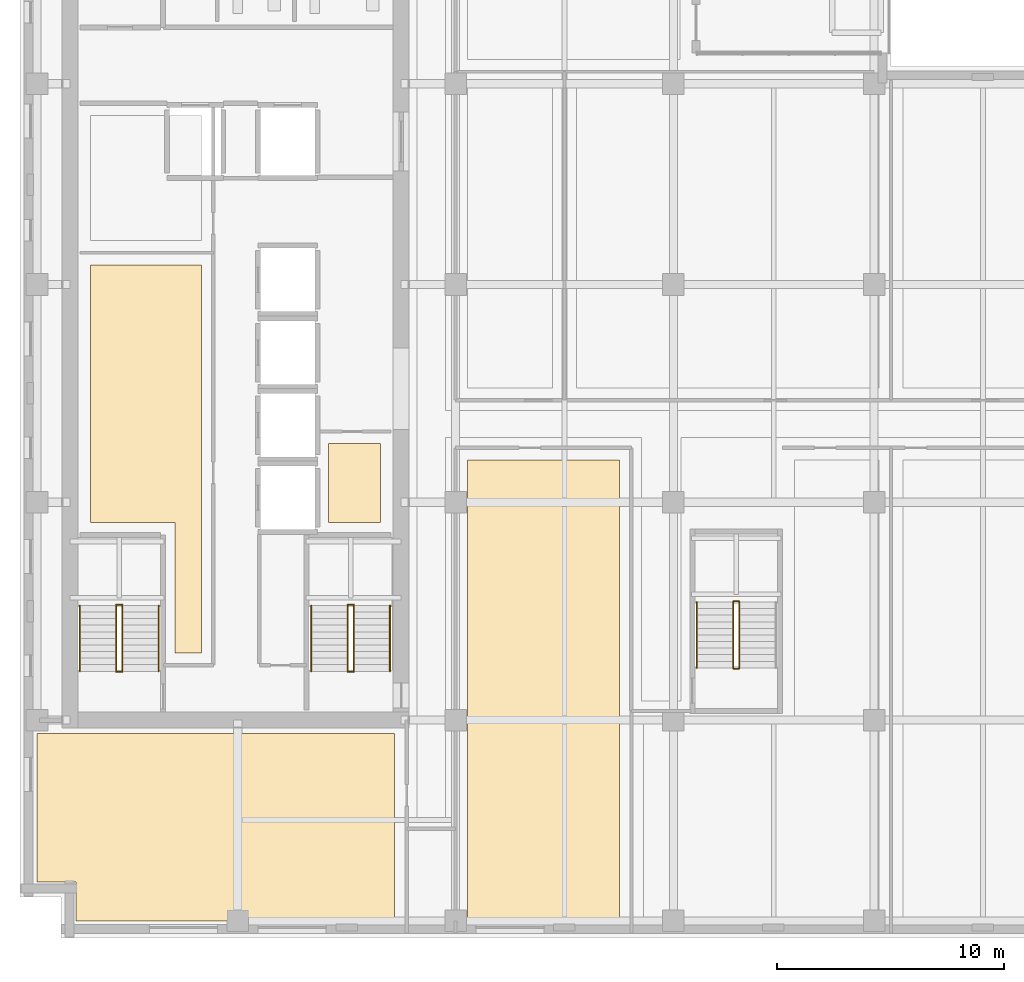
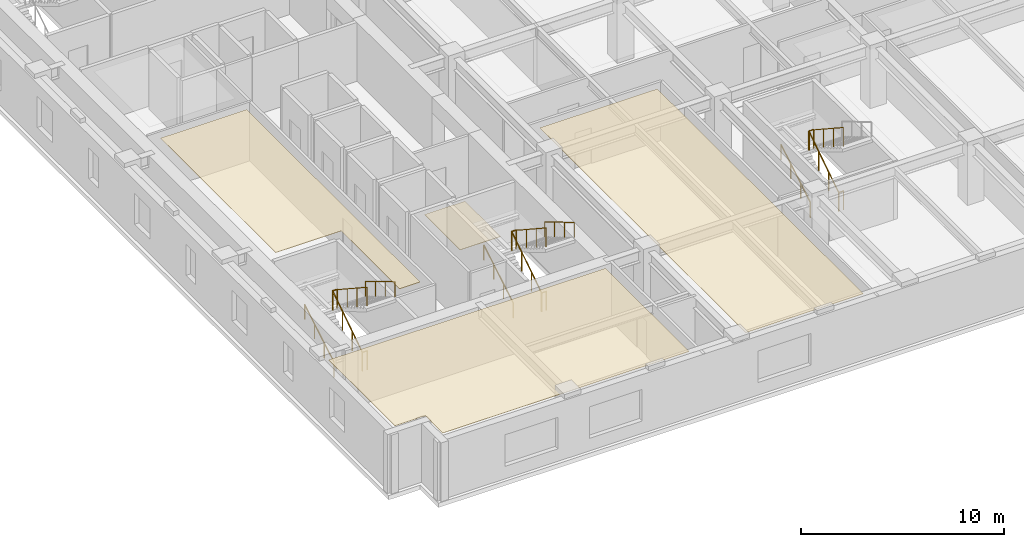
# One storey, part 12 of 16: 17 railings, 4 coverings.
"""IFC4 building model written with IfcOpenShell, lengths in metres."""

from ifc_helpers import new_model, si_unit, direction, frame, origin, origin_2d, place, context, subcontext, project, spatial, polyline, circle, outline, extrude, material, layer, layer_set, type_object, element, save


model = new_model("IFC4")

# Units and contexts
model_context = context("Model", 3, precision=1e-05, world=origin(), true_north=direction((0.0, 1.0)))
body_context = subcontext(model_context, "Body", "Model", "MODEL_VIEW")
ifc_project = project(units=[si_unit("LENGTHUNIT", "METRE"), si_unit("AREAUNIT", "SQUARE_METRE"), si_unit("VOLUMEUNIT", "CUBIC_METRE"), si_unit("PLANEANGLEUNIT", "RADIAN"), si_unit("MASSUNIT", "GRAM", prefix="KILO")], contexts=[model_context])

# Site, building, storey
site_placement = place(None, origin())
site = spatial("IfcSite", under=ifc_project, at=site_placement, CompositionType="ELEMENT")
building_placement = place(site_placement, origin())
building = spatial("IfcBuilding", under=site, at=building_placement, Name="Norrvale University Quadrangle", CompositionType="ELEMENT")
storey_placement = place(building_placement, frame((0.0, 0.0, 167.39990234375)))
storey = spatial("IfcBuildingStorey", under=building, at=storey_placement, Name="L42", CompositionType="ELEMENT", Elevation=167.39990234375)

# Coverings
ifc_material_1 = material(Name="Perforated Acoustic Mineral Ceiling")
ifc_layer_1 = layer(ifc_material_1, 0.02490234375, Name="Perforated Acoustic Mineral Ceiling")
ifc_layer_set_1 = layer_set([ifc_layer_1], Name="Perforated Acoustic Mineral Ceiling")
covering_type_1 = type_object("IfcCoveringType", Name="Covering Acoustic Ceiling 25", PredefinedType="CEILING", material=ifc_layer_set_1)
covering_1_placement = place(storey_placement, frame((0.0, 0.0, 3.51513671875)))
element("IfcCovering", 1, at=covering_1_placement, inside=storey, type_object=covering_type_1, Name="Acoustic Ceiling RM-L42-REC1", PredefinedType="CEILING", context=body_context, shape_type="SweptSolid", body=[
    extrude(outline(polyline([(3.10009765625, 18.300048828125), (3.10009765625, 29.64990234375), (8.0, 29.64990234375), (8.0, 12.550048828125), (6.830078125, 12.550048828125), (6.830078125, 18.300048828125), (3.10009765625, 18.300048828125)])), origin(), (0.0, 0.0, 1.0), 0.02490234375),
])
covering_2_placement = place(storey_placement, frame((0.0, 0.0, 3.51513671875)))
element("IfcCovering", 2, at=covering_2_placement, inside=storey, type_object=covering_type_1, Name="Acoustic Ceiling RM-L42-SW1", PredefinedType="CEILING", context=body_context, shape_type="SweptSolid", body=[
    extrude(outline(polyline([(16.5, 9.0), (16.5, 0.75), (2.469970703125, 0.75), (2.469970703125, 2.469970703125), (0.75, 2.469970703125), (0.75, 9.0), (16.5, 9.0)])), origin(), (0.0, 0.0, 1.0), 0.02490234375),
])
covering_3_placement = place(storey_placement, frame((0.0, 0.0, 3.51513671875)))
element("IfcCovering", 3, at=covering_3_placement, inside=storey, type_object=covering_type_1, Name="Acoustic Ceiling RM-L42-SE1", PredefinedType="CEILING", context=body_context, shape_type="SweptSolid", body=[
    extrude(outline(polyline([(26.419921875, 21.070068359375), (26.419921875, 0.75), (19.72998046875, 0.75), (19.72998046875, 21.070068359375), (26.419921875, 21.070068359375)])), origin(), (0.0, 0.0, 1.0), 0.02490234375),
])
ifc_material_2 = material(Name="Polished Terrazzo Flooring")
ifc_layer_2 = layer(ifc_material_2, 0.02490234375, Name="Polished Terrazzo Flooring")
ifc_layer_set_2 = layer_set([ifc_layer_2], Name="Polished Terrazzo Flooring")
covering_type_2 = type_object("IfcCoveringType", Name="Covering Terrazzo Floor 30", PredefinedType="FLOORING", material=ifc_layer_set_2)
covering_4_placement = place(storey_placement, origin())
element("IfcCovering", 4, at=covering_4_placement, inside=storey, type_object=covering_type_2, Name="Terrazzo Flooring RM-L42-JAN", PredefinedType="FLOORING", context=body_context, shape_type="SweptSolid", body=[
    extrude(outline(polyline([(13.60009765625, 18.300048828125), (13.60009765625, 21.800048828125), (15.89990234375, 21.800048828125), (15.89990234375, 18.300048828125), (13.60009765625, 18.300048828125)])), origin(), (0.0, 0.0, 1.0), 0.025146484375),
])

# Railings
ifc_material_3 = material(Name="Steel 350W Painted Balustrade", Category="steel")
railing_type_1 = type_object("IfcRailingType", Name="Railing Stair Guard 1100", PredefinedType="GUARDRAIL", material=ifc_material_3)
for number, where, name in (
    (5, (4.239990234375, 11.719970703125, 0.0), "Stair Floor Well Guard ST-01 L42"),
    (6, (4.239990234375, 14.679931640625, 1.900146484375), "Stair Mid-Landing Slot Guard ST-01 L42"),
):
    element("IfcRailing", number, at=place(storey_placement, frame(where)), inside=storey, type_object=railing_type_1, Name=name, PredefinedType="GUARDRAIL", context=body_context, shape_type="SweptSolid", body=[
        extrude(circle(Radius=0.02392578125, at=origin_2d()), frame((0.0, 0.0, 1.1259765625), z_axis=(1.0, 0.0, 0.0), x_axis=(0.0, 1.0, 0.0)), (0.0, 0.0, 1.0), 0.27001953125),
        extrude(circle(Radius=0.02099609375, at=origin_2d()), origin(), (0.0, 0.0, 1.0), 1.101806640625),
        extrude(circle(Radius=0.02099609375, at=origin_2d()), frame((0.27001953125, 0.0, 0.0)), (0.0, 0.0, 1.0), 1.101806640625),
    ])
railing_1_placement = place(storey_placement, frame((4.239990234375, 11.75, 0.0)))
element("IfcRailing", 7, at=railing_1_placement, inside=storey, type_object=railing_type_1, Name="Stair Lower Flight Inner Guard ST-01 L42", PredefinedType="GUARDRAIL", context=body_context, shape_type="SweptSolid", body=[
    extrude(circle(Radius=0.02392578125, at=origin_2d()), frame((0.0, 0.0, 1.1259765625), z_axis=(0.0, 0.836433300813, 0.548068730445), x_axis=(-1.0, 0.0, 0.0)), (0.0, 0.0, 1.0), 3.467041015625),
    extrude(circle(Radius=0.02099609375, at=origin_2d()), origin(), (0.0, 0.0, 1.0), 1.101806640625),
    extrude(circle(Radius=0.02099609375, at=origin_2d()), frame((0.0, 0.966552734375, 0.63330078125)), (0.0, 0.0, 1.0), 1.101806640625),
    extrude(circle(Radius=0.02099609375, at=origin_2d()), frame((0.0, 1.933349609375, 1.266845703125)), (0.0, 0.0, 1.0), 1.101806640625),
    extrude(circle(Radius=0.02099609375, at=origin_2d()), frame((0.0, 2.89990234375, 1.900146484375)), (0.0, 0.0, 1.0), 1.101806640625),
])
railing_2_placement = place(storey_placement, frame((4.510009765625, 14.64990234375, 1.900146484375)))
element("IfcRailing", 8, at=railing_2_placement, inside=storey, type_object=railing_type_1, Name="Stair Upper Flight Inner Guard ST-01 L42", PredefinedType="GUARDRAIL", context=body_context, shape_type="SweptSolid", body=[
    extrude(circle(Radius=0.02392578125, at=origin_2d()), frame((0.0, 0.0, 1.1259765625), z_axis=(0.0, -0.836465582154, 0.548019461216), x_axis=(1.0, 0.0, 0.0)), (0.0, 0.0, 1.0), 3.466796875),
    extrude(circle(Radius=0.02099609375, at=origin_2d()), origin(), (0.0, 0.0, 1.0), 1.101806640625),
    extrude(circle(Radius=0.02099609375, at=origin_2d()), frame((0.0, -0.966552734375, 0.63330078125)), (0.0, 0.0, 1.0), 1.101806640625),
    extrude(circle(Radius=0.02099609375, at=origin_2d()), frame((0.0, -1.933349609375, 1.2666015625)), (0.0, 0.0, 1.0), 1.101806640625),
    extrude(circle(Radius=0.02099609375, at=origin_2d()), frame((0.0, -2.89990234375, 1.89990234375)), (0.0, 0.0, 1.0), 1.101806640625),
])
for number, where, name in (
    (9, (14.43994140625, 11.719970703125, 0.0), "Stair Floor Well Guard ST-03 L42"),
    (10, (14.43994140625, 14.679931640625, 1.900146484375), "Stair Mid-Landing Slot Guard ST-03 L42"),
):
    element("IfcRailing", number, at=place(storey_placement, frame(where)), inside=storey, type_object=railing_type_1, Name=name, PredefinedType="GUARDRAIL", context=body_context, shape_type="SweptSolid", body=[
        extrude(circle(Radius=0.02392578125, at=origin_2d()), frame((0.0, 0.0, 1.1259765625), z_axis=(1.0, 0.0, 0.0), x_axis=(0.0, 1.0, 0.0)), (0.0, 0.0, 1.0), 0.27001953125),
        extrude(circle(Radius=0.02099609375, at=origin_2d()), origin(), (0.0, 0.0, 1.0), 1.101806640625),
        extrude(circle(Radius=0.02099609375, at=origin_2d()), frame((0.27001953125, 0.0, 0.0)), (0.0, 0.0, 1.0), 1.101806640625),
    ])
railing_3_placement = place(storey_placement, frame((14.43994140625, 11.75, 0.0)))
element("IfcRailing", 11, at=railing_3_placement, inside=storey, type_object=railing_type_1, Name="Stair Lower Flight Inner Guard ST-03 L42", PredefinedType="GUARDRAIL", context=body_context, shape_type="SweptSolid", body=[
    extrude(circle(Radius=0.02392578125, at=origin_2d()), frame((0.0, 0.0, 1.1259765625), z_axis=(0.0, 0.836433300813, 0.548068730445), x_axis=(-1.0, 0.0, 0.0)), (0.0, 0.0, 1.0), 3.467041015625),
    extrude(circle(Radius=0.02099609375, at=origin_2d()), origin(), (0.0, 0.0, 1.0), 1.101806640625),
    extrude(circle(Radius=0.02099609375, at=origin_2d()), frame((0.0, 0.966552734375, 0.63330078125)), (0.0, 0.0, 1.0), 1.101806640625),
    extrude(circle(Radius=0.02099609375, at=origin_2d()), frame((0.0, 1.933349609375, 1.266845703125)), (0.0, 0.0, 1.0), 1.101806640625),
    extrude(circle(Radius=0.02099609375, at=origin_2d()), frame((0.0, 2.89990234375, 1.900146484375)), (0.0, 0.0, 1.0), 1.101806640625),
])
railing_4_placement = place(storey_placement, frame((14.7099609375, 14.64990234375, 1.900146484375)))
element("IfcRailing", 12, at=railing_4_placement, inside=storey, type_object=railing_type_1, Name="Stair Upper Flight Inner Guard ST-03 L42", PredefinedType="GUARDRAIL", context=body_context, shape_type="SweptSolid", body=[
    extrude(circle(Radius=0.02392578125, at=origin_2d()), frame((0.0, 0.0, 1.1259765625), z_axis=(0.0, -0.836465582154, 0.548019461216), x_axis=(1.0, 0.0, 0.0)), (0.0, 0.0, 1.0), 3.466796875),
    extrude(circle(Radius=0.02099609375, at=origin_2d()), origin(), (0.0, 0.0, 1.0), 1.101806640625),
    extrude(circle(Radius=0.02099609375, at=origin_2d()), frame((0.0, -0.966552734375, 0.63330078125)), (0.0, 0.0, 1.0), 1.101806640625),
    extrude(circle(Radius=0.02099609375, at=origin_2d()), frame((0.0, -1.933349609375, 1.2666015625)), (0.0, 0.0, 1.0), 1.101806640625),
    extrude(circle(Radius=0.02099609375, at=origin_2d()), frame((0.0, -2.89990234375, 1.89990234375)), (0.0, 0.0, 1.0), 1.101806640625),
])
for number, where, name in (
    (13, (31.43994140625, 11.8701171875, 0.0), "Stair Floor Well Guard ST-04 L42"),
    (14, (31.43994140625, 14.830078125, 1.900146484375), "Stair Mid-Landing Slot Guard ST-04 L42"),
):
    element("IfcRailing", number, at=place(storey_placement, frame(where)), inside=storey, type_object=railing_type_1, Name=name, PredefinedType="GUARDRAIL", context=body_context, shape_type="SweptSolid", body=[
        extrude(circle(Radius=0.02392578125, at=origin_2d()), frame((0.0, 0.0, 1.1259765625), z_axis=(1.0, 0.0, 0.0), x_axis=(0.0, 1.0, 0.0)), (0.0, 0.0, 1.0), 0.27001953125),
        extrude(circle(Radius=0.02099609375, at=origin_2d()), origin(), (0.0, 0.0, 1.0), 1.101806640625),
        extrude(circle(Radius=0.02099609375, at=origin_2d()), frame((0.27001953125, 0.0, 0.0)), (0.0, 0.0, 1.0), 1.101806640625),
    ])
railing_5_placement = place(storey_placement, frame((31.43994140625, 11.89990234375, 0.0)))
element("IfcRailing", 15, at=railing_5_placement, inside=storey, type_object=railing_type_1, Name="Stair Lower Flight Inner Guard ST-04 L42", PredefinedType="GUARDRAIL", context=body_context, shape_type="SweptSolid", body=[
    extrude(circle(Radius=0.02392578125, at=origin_2d()), frame((0.0, 0.0, 1.1259765625), z_axis=(0.0, 0.836454451266, 0.548036450392), x_axis=(-1.0, 0.0, 0.0)), (0.0, 0.0, 1.0), 3.46728515625),
    extrude(circle(Radius=0.02099609375, at=origin_2d()), origin(), (0.0, 0.0, 1.0), 1.101806640625),
    extrude(circle(Radius=0.02099609375, at=origin_2d()), frame((0.0, 0.966796875, 0.63330078125)), (0.0, 0.0, 1.0), 1.101806640625),
    extrude(circle(Radius=0.02099609375, at=origin_2d()), frame((0.0, 1.933349609375, 1.266845703125)), (0.0, 0.0, 1.0), 1.101806640625),
    extrude(circle(Radius=0.02099609375, at=origin_2d()), frame((0.0, 2.900146484375, 1.900146484375)), (0.0, 0.0, 1.0), 1.101806640625),
])
railing_6_placement = place(storey_placement, frame((31.7099609375, 14.800048828125, 1.900146484375)))
element("IfcRailing", 16, at=railing_6_placement, inside=storey, type_object=railing_type_1, Name="Stair Upper Flight Inner Guard ST-04 L42", PredefinedType="GUARDRAIL", context=body_context, shape_type="SweptSolid", body=[
    extrude(circle(Radius=0.02392578125, at=origin_2d()), frame((0.0, 0.0, 1.1259765625), z_axis=(0.0, -0.836486729621, 0.547987181573), x_axis=(1.0, 0.0, 0.0)), (0.0, 0.0, 1.0), 3.467041015625),
    extrude(circle(Radius=0.02099609375, at=origin_2d()), origin(), (0.0, 0.0, 1.0), 1.101806640625),
    extrude(circle(Radius=0.02099609375, at=origin_2d()), frame((0.0, -0.966796875, 0.63330078125)), (0.0, 0.0, 1.0), 1.101806640625),
    extrude(circle(Radius=0.02099609375, at=origin_2d()), frame((0.0, -1.933349609375, 1.2666015625)), (0.0, 0.0, 1.0), 1.101806640625),
    extrude(circle(Radius=0.02099609375, at=origin_2d()), frame((0.0, -2.900146484375, 1.89990234375)), (0.0, 0.0, 1.0), 1.101806640625),
])
ifc_material_4 = material(Name="Stainless Steel 316L Handrail", Category="steel")
railing_type_2 = type_object("IfcRailingType", Name="Railing Stair Handrail 920", PredefinedType="HANDRAIL", material=ifc_material_4)
railing_7_placement = place(storey_placement, frame((2.639892578125, 11.75, 0.1728515625)))
element("IfcRailing", 17, at=railing_7_placement, inside=storey, type_object=railing_type_2, Name="Stair Lower Flight Handrail ST-01 L42", PredefinedType="HANDRAIL", context=body_context, shape_type="SweptSolid", body=[
    extrude(circle(Radius=0.02392578125, at=origin_2d()), frame((0.0, 0.0, 0.89599609375), z_axis=(0.0, 0.859141464434, 0.511738159696), x_axis=(-1.0, 0.0, 0.0)), (0.0, 0.0, 1.0), 3.375244140625),
    extrude(circle(Radius=0.02099609375, at=origin_2d()), origin(), (0.0, 0.0, 1.0), 0.871826171875),
    extrude(circle(Radius=0.02099609375, at=origin_2d()), frame((0.0, 0.966552734375, 0.57568359375)), (0.0, 0.0, 1.0), 0.871826171875),
    extrude(circle(Radius=0.02099609375, at=origin_2d()), frame((0.0, 1.933349609375, 1.151611328125)), (0.0, 0.0, 1.0), 0.871826171875),
    extrude(circle(Radius=0.02099609375, at=origin_2d()), frame((0.0, 2.89990234375, 1.727294921875)), (0.0, 0.0, 1.0), 0.871826171875),
])
railing_8_placement = place(storey_placement, frame((6.110107421875, 14.64990234375, 2.07275390625)))
element("IfcRailing", 18, at=railing_8_placement, inside=storey, type_object=railing_type_2, Name="Stair Upper Flight Handrail ST-01 L42", PredefinedType="HANDRAIL", context=body_context, shape_type="SweptSolid", body=[
    extrude(circle(Radius=0.02392578125, at=origin_2d()), frame((0.0, 0.0, 0.89599609375), z_axis=(0.0, -0.859141464434, 0.511738159696), x_axis=(1.0, 0.0, 0.0)), (0.0, 0.0, 1.0), 3.375244140625),
    extrude(circle(Radius=0.02099609375, at=origin_2d()), origin(), (0.0, 0.0, 1.0), 0.871826171875),
    extrude(circle(Radius=0.02099609375, at=origin_2d()), frame((0.0, -0.966552734375, 0.57568359375)), (0.0, 0.0, 1.0), 0.871826171875),
    extrude(circle(Radius=0.02099609375, at=origin_2d()), frame((0.0, -1.933349609375, 1.151611328125)), (0.0, 0.0, 1.0), 0.871826171875),
    extrude(circle(Radius=0.02099609375, at=origin_2d()), frame((0.0, -2.89990234375, 1.727294921875)), (0.0, 0.0, 1.0), 0.871826171875),
])
railing_9_placement = place(storey_placement, frame((12.840087890625, 11.75, 0.1728515625)))
element("IfcRailing", 19, at=railing_9_placement, inside=storey, type_object=railing_type_2, Name="Stair Lower Flight Handrail ST-03 L42", PredefinedType="HANDRAIL", context=body_context, shape_type="SweptSolid", body=[
    extrude(circle(Radius=0.02392578125, at=origin_2d()), frame((0.0, 0.0, 0.89599609375), z_axis=(0.0, 0.859141464434, 0.511738159696), x_axis=(-1.0, 0.0, 0.0)), (0.0, 0.0, 1.0), 3.375244140625),
    extrude(circle(Radius=0.02099609375, at=origin_2d()), origin(), (0.0, 0.0, 1.0), 0.871826171875),
    extrude(circle(Radius=0.02099609375, at=origin_2d()), frame((0.0, 0.966552734375, 0.57568359375)), (0.0, 0.0, 1.0), 0.871826171875),
    extrude(circle(Radius=0.02099609375, at=origin_2d()), frame((0.0, 1.933349609375, 1.151611328125)), (0.0, 0.0, 1.0), 0.871826171875),
    extrude(circle(Radius=0.02099609375, at=origin_2d()), frame((0.0, 2.89990234375, 1.727294921875)), (0.0, 0.0, 1.0), 0.871826171875),
])
railing_10_placement = place(storey_placement, frame((16.31005859375, 14.64990234375, 2.07275390625)))
element("IfcRailing", 20, at=railing_10_placement, inside=storey, type_object=railing_type_2, Name="Stair Upper Flight Handrail ST-03 L42", PredefinedType="HANDRAIL", context=body_context, shape_type="SweptSolid", body=[
    extrude(circle(Radius=0.02392578125, at=origin_2d()), frame((0.0, 0.0, 0.89599609375), z_axis=(0.0, -0.859141464434, 0.511738159696), x_axis=(1.0, 0.0, 0.0)), (0.0, 0.0, 1.0), 3.375244140625),
    extrude(circle(Radius=0.02099609375, at=origin_2d()), origin(), (0.0, 0.0, 1.0), 0.871826171875),
    extrude(circle(Radius=0.02099609375, at=origin_2d()), frame((0.0, -0.966552734375, 0.57568359375)), (0.0, 0.0, 1.0), 0.871826171875),
    extrude(circle(Radius=0.02099609375, at=origin_2d()), frame((0.0, -1.933349609375, 1.151611328125)), (0.0, 0.0, 1.0), 0.871826171875),
    extrude(circle(Radius=0.02099609375, at=origin_2d()), frame((0.0, -2.89990234375, 1.727294921875)), (0.0, 0.0, 1.0), 0.871826171875),
])
railing_11_placement = place(storey_placement, frame((29.840087890625, 11.89990234375, 0.1728515625)))
element("IfcRailing", 21, at=railing_11_placement, inside=storey, type_object=railing_type_2, Name="Stair Lower Flight Handrail ST-04 L42", PredefinedType="HANDRAIL", context=body_context, shape_type="SweptSolid", body=[
    extrude(circle(Radius=0.02392578125, at=origin_2d()), frame((0.0, 0.0, 0.89599609375), z_axis=(0.0, 0.859160404282, 0.51170636083), x_axis=(-1.0, 0.0, 0.0)), (0.0, 0.0, 1.0), 3.37548828125),
    extrude(circle(Radius=0.02099609375, at=origin_2d()), origin(), (0.0, 0.0, 1.0), 0.871826171875),
    extrude(circle(Radius=0.02099609375, at=origin_2d()), frame((0.0, 0.966796875, 0.57568359375)), (0.0, 0.0, 1.0), 0.871826171875),
    extrude(circle(Radius=0.02099609375, at=origin_2d()), frame((0.0, 1.933349609375, 1.151611328125)), (0.0, 0.0, 1.0), 0.871826171875),
    extrude(circle(Radius=0.02099609375, at=origin_2d()), frame((0.0, 2.900146484375, 1.727294921875)), (0.0, 0.0, 1.0), 0.871826171875),
])

save(model, "model.ifc")
